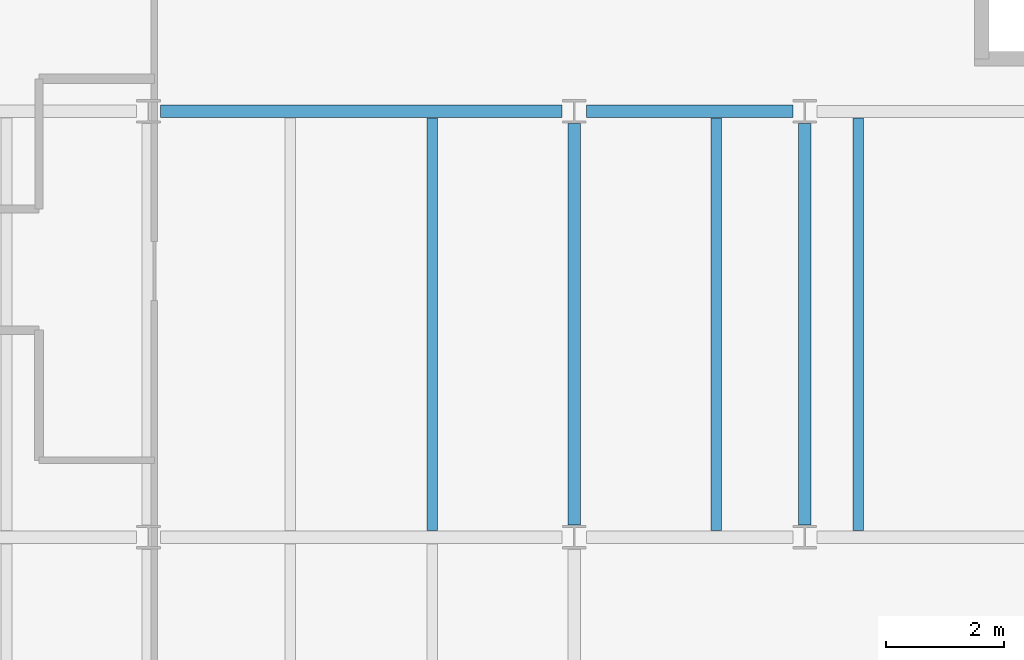
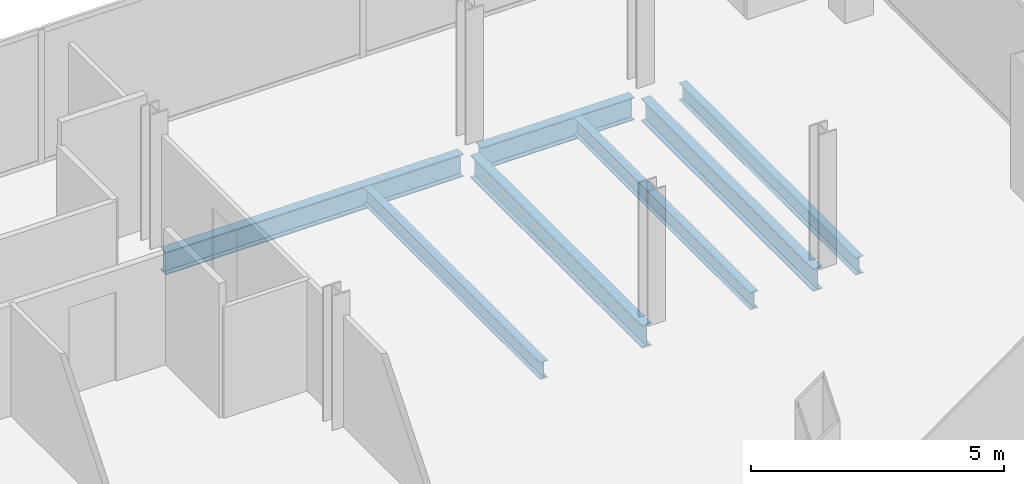
# One storey, part 15 of 23: 7 beams.
"""IFC4 building model written with IfcOpenShell, lengths in metres."""

from ifc_helpers import new_model, si_unit, direction, frame, origin, origin_2d, place, context, subcontext, project, spatial, i_section, extrude, material, material_profile, profile_set, type_object, element, save


model = new_model("IFC4")

# Units and contexts
model_context = context("Model", 3, precision=1e-05, world=origin(), true_north=direction((0.0, 1.0)))
body_context = subcontext(model_context, "Body", "Model", "MODEL_VIEW")
ifc_project = project(units=[si_unit("LENGTHUNIT", "METRE"), si_unit("AREAUNIT", "SQUARE_METRE"), si_unit("VOLUMEUNIT", "CUBIC_METRE"), si_unit("PLANEANGLEUNIT", "RADIAN"), si_unit("MASSUNIT", "GRAM", prefix="KILO")], contexts=[model_context])

# Site, building, storey
site_placement = place(None, origin())
site = spatial("IfcSite", under=ifc_project, at=site_placement, CompositionType="ELEMENT")
building_placement = place(site_placement, origin())
building = spatial("IfcBuilding", under=site, at=building_placement, Name="Cobrela Telecom Tower", CompositionType="ELEMENT")
storey_placement = place(building_placement, frame((0.0, 0.0, 265.64990234375)))
storey = spatial("IfcBuildingStorey", under=building, at=storey_placement, Name="L69", CompositionType="ELEMENT", Elevation=265.64990234375)

# Beams
ifc_material = material(Name="Steel ASTM A992 Grade 50", Category="steel")
ifc_material_profile_1 = material_profile(ifc_material, i_section(OverallWidth=0.212890625, OverallDepth=0.549072265625, WebThickness=0.0146484375, FlangeThickness=0.023681640625, FilletRadius=0.013916015625, at=origin_2d()), Name="W21X93")
ifc_profile_set_1 = profile_set([ifc_material_profile_1], Name="Steel ASTM A992 Grade 50")
beam_type_1 = type_object("IfcBeamType", Name="BM-GIRD-08", PredefinedType="USERDEFINED", material=ifc_profile_set_1)
beam_1_placement = place(storey_placement, frame((29.00439453125, 21.60009765625, -0.534423828125), z_axis=(1.0, 0.0, 0.0), x_axis=(0.0, 1.0, 0.0)))
element("IfcBeam", 1, at=beam_1_placement, inside=storey, type_object=beam_type_1, Name="L69 Primary Girder X12", ObjectType="GIRDER", PredefinedType="USERDEFINED", context=body_context, shape_type="SweptSolid", body=[
    extrude(i_section(OverallWidth=0.212890625, OverallDepth=0.549072265625, WebThickness=0.0146484375, FlangeThickness=0.023681640625, FilletRadius=0.013916015625, at=origin_2d()), origin(), (0.0, 0.0, 1.0), 6.791015625),
])
beam_2_placement = place(storey_placement, frame((36.20458984375, 21.60009765625, -0.534423828125), z_axis=(1.0, 0.0, 0.0), x_axis=(0.0, 1.0, 0.0)))
element("IfcBeam", 2, at=beam_2_placement, inside=storey, type_object=beam_type_1, Name="L69 Primary Girder X13", ObjectType="GIRDER", PredefinedType="USERDEFINED", context=body_context, shape_type="SweptSolid", body=[
    extrude(i_section(OverallWidth=0.212890625, OverallDepth=0.549072265625, WebThickness=0.0146484375, FlangeThickness=0.023681640625, FilletRadius=0.013916015625, at=origin_2d()), origin(), (0.0, 0.0, 1.0), 3.490966796875),
])
for number, where, z_axis, x_axis, name in (
    (3, (36.0, 14.6044921875, -0.534423828125), (0.0, 1.0, 0.0), (-1.0, 0.0, 0.0), "L69 Primary Girder Y32"),
    (4, (39.89990234375, 14.6044921875, -0.534423828125), (0.0, 1.0, 0.0), (-1.0, 0.0, 0.0), "L69 Primary Girder Y33"),
):
    element("IfcBeam", number, at=place(storey_placement, frame(where, z_axis=z_axis, x_axis=x_axis)), inside=storey, type_object=beam_type_1, Name=name, ObjectType="GIRDER", PredefinedType="USERDEFINED", context=body_context, shape_type="SweptSolid", body=[
        extrude(i_section(OverallWidth=0.212890625, OverallDepth=0.549072265625, WebThickness=0.0146484375, FlangeThickness=0.023681640625, FilletRadius=0.013916015625, at=origin_2d()), origin(), (0.0, 0.0, 1.0), 6.791015625),
    ])
ifc_material_profile_2 = material_profile(ifc_material, i_section(OverallWidth=0.179931640625, OverallDepth=0.4169921875, WebThickness=0.010986328125, FlangeThickness=0.01806640625, FilletRadius=0.011962890625, at=origin_2d()), Name="W16X57")
ifc_profile_set_2 = profile_set([ifc_material_profile_2], Name="Steel ASTM A992 Grade 50")
beam_type_2 = type_object("IfcBeamType", Name="BM-JOIST-04", PredefinedType="JOIST", material=ifc_profile_set_2)
for number, where, z_axis, x_axis, name in (
    (5, (33.60009765625, 14.511474609375, -0.468505859375), (0.0, 1.0, 0.0), (-1.0, 0.0, 0.0), "L69 Secondary Composite Floor Beam J14"),
    (6, (38.39990234375, 14.511474609375, -0.468505859375), (0.0, 1.0, 0.0), (-1.0, 0.0, 0.0), "L69 Secondary Composite Floor Beam J15"),
):
    element("IfcBeam", number, at=place(storey_placement, frame(where, z_axis=z_axis, x_axis=x_axis)), inside=storey, type_object=beam_type_2, Name=name, PredefinedType="JOIST", context=body_context, shape_type="SweptSolid", body=[
        extrude(i_section(OverallWidth=0.179931640625, OverallDepth=0.4169921875, WebThickness=0.010986328125, FlangeThickness=0.01806640625, FilletRadius=0.011962890625, at=origin_2d()), origin(), (0.0, 0.0, 1.0), 6.97705078125),
    ])
beam_3_placement = place(storey_placement, frame((40.800048828125, 14.511474609375, -0.468505859375), z_axis=(0.0, 1.0, 0.0), x_axis=(-1.0, 0.0, 0.0)))
element("IfcBeam", 7, at=beam_3_placement, inside=storey, type_object=beam_type_2, Name="L69 Secondary Composite Floor Beam J16", PredefinedType="JOIST", context=body_context, shape_type="SweptSolid", body=[
    extrude(i_section(OverallWidth=0.179931640625, OverallDepth=0.4169921875, WebThickness=0.010986328125, FlangeThickness=0.01806640625, FilletRadius=0.011962890625, at=origin_2d()), origin(), (0.0, 0.0, 1.0), 6.98095703125),
])

save(model, "model.ifc")
